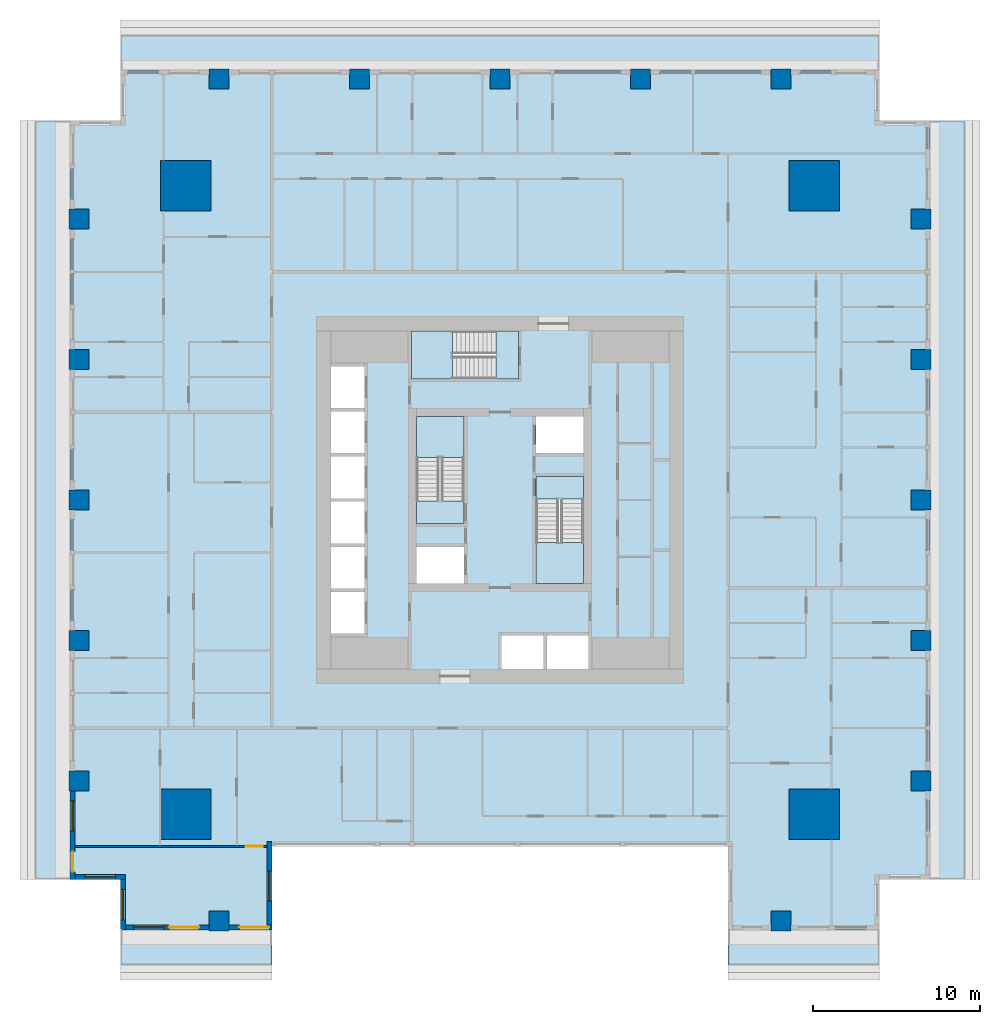
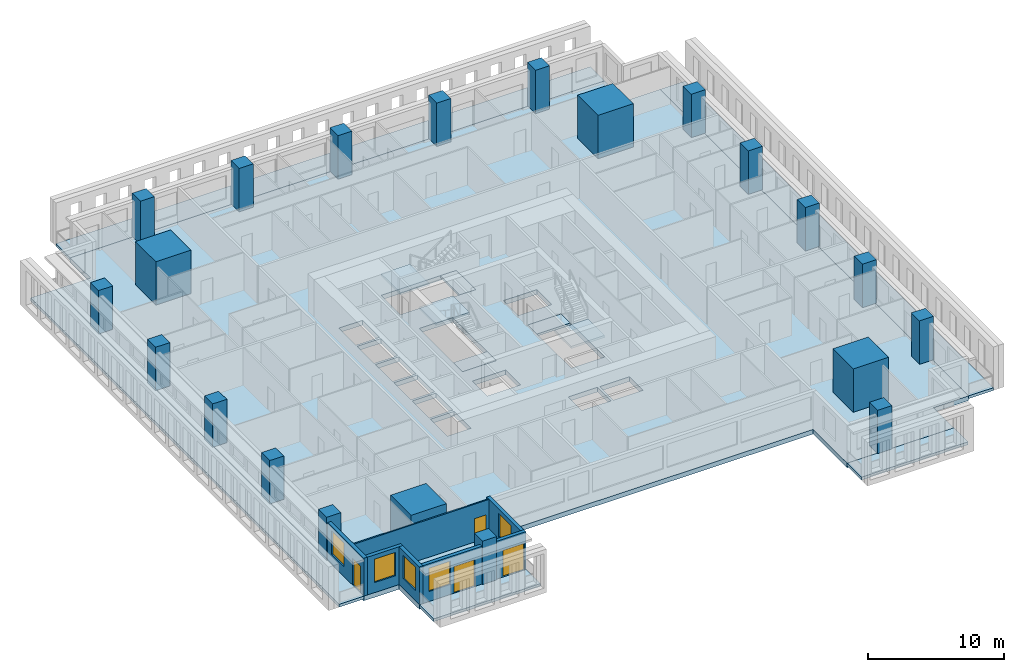
# One storey, part 1 of 14: 21 columns, 12 slabs, 7 walls, 5 windows, 4 doors, 9 openings, 3 elements without a shape of their own.
"""IFC4 building model written with IfcOpenShell, lengths in metres."""

import ifcopenshell
import ifcopenshell.guid

model = None  # the IFC model being written
_history = None  # IfcOwnerHistory: only IFC2X3 demands one
_inside = {}  # id of a spatial element -> (the spatial element, [elements in it])
_under = {}  # id of a project, library or spatial element -> (it, [spatial elements below it])
_declared = {}  # id of a project -> (the project, [libraries it declares])
_typed = {}  # id of a type object -> (the type object, [elements of that type])
_made_of = {}  # id of a material, layer set ... -> (it, [elements and type objects made of it])


def new_model(schema):
    """Start an empty IFC model of exactly this schema.

    Asked for "IFC4X3", IfcOpenShell would pick the latest addendum, in which some entities
    have other attributes; the version numbers below select the first issue.
    IFC2X3 requires an IfcOwnerHistory on every rooted entity: one is made here for all.
    """
    global model, _history
    if schema == "IFC4X3":
        model = ifcopenshell.file(schema_version=(4, 3, 0, 0))
    else:
        model = ifcopenshell.file(schema=schema)
    _inside.clear()
    _under.clear()
    _declared.clear()
    _typed.clear()
    _made_of.clear()
    _history = None
    if model.schema == "IFC2X3":
        org = make("IfcOrganization", Name="unknown")
        user = make(
            "IfcPersonAndOrganization",
            ThePerson=make("IfcPerson", FamilyName="unknown"),
            TheOrganization=org,
        )
        app = make(
            "IfcApplication",
            ApplicationDeveloper=org,
            Version="unknown",
            ApplicationFullName="unknown",
            ApplicationIdentifier="unknown",
        )
        _history = make(
            "IfcOwnerHistory",
            OwningUser=user,
            OwningApplication=app,
            ChangeAction="ADDED",
            CreationDate=0,
        )
    return model


def make(cls, **values):
    """One entity of the class cls with the attributes given. An attribute that is None is left unset."""
    return model.create_entity(
        cls, **{name: value for name, value in values.items() if value is not None}
    )


def rooted(cls, **values):
    """An entity with a GlobalId (a new one), such as an element, a storey or a relation."""
    return make(cls, GlobalId=ifcopenshell.guid.new(), OwnerHistory=_history, **values)


def si_unit(unit_type, name, prefix=None):
    """IfcSIUnit, for example si_unit("LENGTHUNIT", "METRE", prefix="MILLI")."""
    return make("IfcSIUnit", UnitType=unit_type, Prefix=prefix, Name=name)


def assignment(units):
    """IfcUnitAssignment: the units of a project."""
    return None if units is None else make("IfcUnitAssignment", Units=units)


def point(xyz):
    """IfcCartesianPoint."""
    return None if xyz is None else make("IfcCartesianPoint", Coordinates=xyz)


def direction(xyz):
    """IfcDirection."""
    return None if xyz is None else make("IfcDirection", DirectionRatios=xyz)


def frame(location, z_axis=None, x_axis=None):
    """IfcAxis2Placement3D, a coordinate frame: its origin and axes. An axis left out is left unset."""
    return make(
        "IfcAxis2Placement3D",
        Location=point(location),
        Axis=direction(z_axis),
        RefDirection=direction(x_axis),
    )


def frame_2d(location, x_axis=None):
    """IfcAxis2Placement2D, a coordinate frame in the plane: its origin and x axis."""
    return make(
        "IfcAxis2Placement2D", Location=point(location), RefDirection=direction(x_axis)
    )


def origin():
    """The frame at (0, 0, 0) with its axes left unset."""
    return frame((0.0, 0.0, 0.0))


def origin_2d():
    """The frame at (0, 0) in the plane with its x axis left unset."""
    return frame_2d((0.0, 0.0))


def place(relative_to, where):
    """IfcLocalPlacement: puts the frame where relative to a parent placement (None: the world)."""
    return make(
        "IfcLocalPlacement", PlacementRelTo=relative_to, RelativePlacement=where
    )


def context(
    kind, dimensions, precision=None, world=None, true_north=None, identifier=None
):
    """IfcGeometricRepresentationContext, for example the 3D "Model" context."""
    return make(
        "IfcGeometricRepresentationContext",
        ContextIdentifier=identifier,
        ContextType=kind,
        CoordinateSpaceDimension=dimensions,
        Precision=precision,
        WorldCoordinateSystem=world,
        TrueNorth=true_north,
    )


def subcontext(parent, identifier, kind, view, scale=None):
    """IfcGeometricRepresentationSubContext, for example "Body" below "Model"."""
    return make(
        "IfcGeometricRepresentationSubContext",
        ContextIdentifier=identifier,
        ContextType=kind,
        ParentContext=parent,
        TargetScale=scale,
        TargetView=view,
    )


def project(units=None, contexts=None):
    """IfcProject with its units and contexts."""
    return rooted(
        "IfcProject",
        Name="project",
        RepresentationContexts=contexts,
        UnitsInContext=assignment(units),
    )


def spatial(cls, under=None, at=None, **own):
    """A site, building, storey or space (cls), placed at a placement, below another one or the project."""
    s = rooted(cls, ObjectPlacement=at, **own)
    if under is not None:
        _under.setdefault(under.id(), (under, []))[1].append(s)
    return s


def polyline(points):
    """IfcPolyline through the points."""
    return make("IfcPolyline", Points=[point(p) for p in points])


def profile(cls, at=None, kind="AREA", **sizes):
    """A parametric profile (cls). Its sizes go by their IFC names, for example OverallWidth=200.0."""
    return make(cls, ProfileType=kind, Position=at, **sizes)


def rectangle(**sizes):
    """IfcRectangleProfileDef."""
    return profile("IfcRectangleProfileDef", **sizes)


def outline(outer, holes=None, kind="AREA"):
    """IfcArbitraryClosedProfileDef: a profile drawn as a closed curve; with holes, ...WithVoids."""
    if holes is None:
        return make("IfcArbitraryClosedProfileDef", ProfileType=kind, OuterCurve=outer)
    return make(
        "IfcArbitraryProfileDefWithVoids",
        ProfileType=kind,
        OuterCurve=outer,
        InnerCurves=holes,
    )


def extrude(swept, where, along, depth):
    """IfcExtrudedAreaSolid: the profile swept, set in the frame where, extruded along a direction by depth."""
    return make(
        "IfcExtrudedAreaSolid",
        SweptArea=swept,
        Position=where,
        ExtrudedDirection=direction(along),
        Depth=depth,
    )


def shape(context_of_items, identifier, shape_type, items):
    """IfcShapeRepresentation: the items that make up one representation, for example the "Body"."""
    return make(
        "IfcShapeRepresentation",
        ContextOfItems=context_of_items,
        RepresentationIdentifier=identifier,
        RepresentationType=shape_type,
        Items=items,
    )


def material(Name=None, Category=None):
    """IfcMaterial."""
    return make("IfcMaterial", Name=Name, Category=Category)


def layer(
    of_material, thickness, ventilated=None, Name=None, Category=None, Priority=None
):
    """IfcMaterialLayer: one layer of a wall or slab, of a material (None: an air gap)."""
    return make(
        "IfcMaterialLayer",
        Material=of_material,
        LayerThickness=thickness,
        IsVentilated=ventilated,
        Name=Name,
        Category=Category,
        Priority=Priority,
    )


def layer_set(layers, Name=None):
    """IfcMaterialLayerSet."""
    return make("IfcMaterialLayerSet", MaterialLayers=layers, LayerSetName=Name)


def material_profile(
    of_material, cross_section, Name=None, Category=None, Priority=None
):
    """IfcMaterialProfile: a cross section and its material."""
    return make(
        "IfcMaterialProfile",
        Name=Name,
        Material=of_material,
        Profile=cross_section,
        Priority=Priority,
        Category=Category,
    )


def profile_set(profiles, Name=None, composite=None):
    """IfcMaterialProfileSet."""
    return make(
        "IfcMaterialProfileSet",
        Name=Name,
        MaterialProfiles=profiles,
        CompositeProfile=composite,
    )


def made_of(thing, what):
    """Note that an element or type object is made of a material, layer set ...; save() writes the relation."""
    if what is not None:
        _made_of.setdefault(what.id(), (what, []))[1].append(thing)
    return thing


def type_object(cls, material=None, **own):
    """A type object (cls), such as IfcWallType, which elements share."""
    return made_of(rooted(cls, **own), material)


def element(
    cls,
    number,
    at=None,
    inside=None,
    cuts=None,
    type_object=None,
    material=None,
    context=None,
    identifier="Body",
    shape_type=None,
    held_by="IfcProductDefinitionShape",
    body=None,
    shapes=None,
    **own,
):
    """One element of the class cls, such as IfcWall. Its Tag is "e" and its number.

    at: its placement. inside: the storey or other place that contains it. cuts: it is an
    opening in that element (IfcRelVoidsElement). A single representation is given by context,
    identifier, shape_type and body (its items); several are given by shapes. held_by: the class
    of the entity that holds the representations. save() writes the other relations.
    """
    e = rooted(cls, Tag="e%d" % number, ObjectPlacement=at, **own)
    if body is not None:
        shapes = [shape(context, identifier, shape_type, body)]
    if shapes is not None:
        e.Representation = make(held_by, Representations=shapes)
    if inside is not None:
        _inside.setdefault(inside.id(), (inside, []))[1].append(e)
    if cuts is not None:
        rooted(
            "IfcRelVoidsElement", RelatingBuildingElement=cuts, RelatedOpeningElement=e
        )
    if type_object is not None:
        _typed.setdefault(type_object.id(), (type_object, []))[1].append(e)
    return made_of(e, material)


def fill(opening, filler):
    """IfcRelFillsElement: the door or window that sits in an opening."""
    return rooted(
        "IfcRelFillsElement",
        RelatingOpeningElement=opening,
        RelatedBuildingElement=filler,
    )


def aggregate(whole, parts):
    """IfcRelAggregates: a whole, such as a stair, and the parts it consists of."""
    return rooted("IfcRelAggregates", RelatingObject=whole, RelatedObjects=parts)


def save(model, path):
    """Write the relations noted so far, then the file.

    IfcRelAggregates (storeys below a building ...), IfcRelContainedInSpatialStructure (elements
    in a storey), IfcRelDefinesByType, IfcRelAssociatesMaterial and IfcRelDeclares: one each for
    every whole, place, type object, material and project.
    """
    for whole, parts in _under.values():
        aggregate(whole, parts)
    for where, things in _inside.values():
        rooted(
            "IfcRelContainedInSpatialStructure",
            RelatedElements=things,
            RelatingStructure=where,
        )
    for kind, things in _typed.values():
        rooted("IfcRelDefinesByType", RelatedObjects=things, RelatingType=kind)
    for what, things in _made_of.values():
        rooted("IfcRelAssociatesMaterial", RelatedObjects=things, RelatingMaterial=what)
    for by, libraries in _declared.values():
        rooted("IfcRelDeclares", RelatingContext=by, RelatedDefinitions=libraries)
    model.write(path)


model = new_model("IFC4")

# Units and contexts
model_context = context("Model", 3, precision=1e-05, world=origin(), true_north=direction((0.0, 1.0)))
body_context = subcontext(model_context, "Body", "Model", "MODEL_VIEW")
ifc_project = project(units=[si_unit("LENGTHUNIT", "METRE"), si_unit("AREAUNIT", "SQUARE_METRE"), si_unit("VOLUMEUNIT", "CUBIC_METRE"), si_unit("PLANEANGLEUNIT", "RADIAN"), si_unit("MASSUNIT", "GRAM", prefix="KILO")], contexts=[model_context])

# Site, building, storey
site_placement = place(None, origin())
site = spatial("IfcSite", under=ifc_project, at=site_placement, CompositionType="ELEMENT")
building_placement = place(site_placement, origin())
building = spatial("IfcBuilding", under=site, at=building_placement, Name="Khepri Terraces", CompositionType="ELEMENT")
storey_placement = place(building_placement, frame((0.0, 0.0, 69.89990234375)))
storey = spatial("IfcBuildingStorey", under=building, at=storey_placement, Name="L16", CompositionType="ELEMENT", Elevation=69.89990234375)

# Columns
ifc_material_1 = material(Name="Concrete C80/95", Category="concrete")
ifc_material_profile_1 = material_profile(ifc_material_1, rectangle(XDim=3.0, YDim=3.0, at=origin_2d()), Name="Concrete C80/95", Category="concrete")
ifc_profile_set_1 = profile_set([ifc_material_profile_1], Name="Concrete C80/95")
column_type_1 = type_object("IfcColumnType", Name="Mega column RC 3000x3000 C80/95", PredefinedType="COLUMN", material=ifc_profile_set_1)
for number, where, z_axis, x_axis, name in (
    (1, (18.800048828125, 18.800048828125, 0.0), (0.0, 0.0, 1.0), (1.0, 0.0, 0.0), "Mega column MEN L16"),
    (2, (18.800048828125, -18.800048828125, 0.0), (0.0, 0.0, 1.0), (1.0, 0.0, 0.0), "Mega column MES L16"),
    (3, (-18.800048828125, 18.800048828125, 0.0), (0.0, 0.0, 1.0), (1.0, 0.0, 0.0), "Mega column MWN L16"),
    (4, (-18.800048828125, -18.800048828125, 0.0), (0.0, 0.0, 1.0), (1.0, 0.0, 0.0), "Mega column MWS L16"),
):
    element("IfcColumn", number, at=place(storey_placement, frame(where, z_axis=z_axis, x_axis=x_axis)), inside=storey, type_object=column_type_1, Name=name, PredefinedType="COLUMN", context=body_context, shape_type="SweptSolid", body=[
        extrude(rectangle(XDim=3.0, YDim=3.0, at=origin_2d()), origin(), (0.0, 0.0, 1.0), 3.900146484375),
    ])
ifc_material_profile_2 = material_profile(ifc_material_1, rectangle(XDim=1.199951171875, YDim=1.199951171875, at=origin_2d()), Name="Concrete C80/95", Category="concrete")
ifc_profile_set_2 = profile_set([ifc_material_profile_2], Name="Concrete C80/95")
column_type_2 = type_object("IfcColumnType", Name="Tower column RC 1200x1200 C80/95", PredefinedType="COLUMN", material=ifc_profile_set_2)
for number, where, z_axis, x_axis, name in (
    (5, (25.199951171875, 0.0, 0.0), (0.0, 0.0, 1.0), (1.0, 0.0, 0.0), "Perimeter column PE+000a L16"),
    (6, (25.199951171875, 8.39990234375, 0.0), (0.0, 0.0, 1.0), (1.0, 0.0, 0.0), "Perimeter column PE+084a L16"),
    (7, (25.199951171875, 16.800048828125, 0.0), (0.0, 0.0, 1.0), (1.0, 0.0, 0.0), "Perimeter column PE+168a L16"),
    (8, (25.199951171875, -8.39990234375, 0.0), (0.0, 0.0, 1.0), (1.0, 0.0, 0.0), "Perimeter column PE-084a L16"),
    (9, (25.199951171875, -16.800048828125, 0.0), (0.0, 0.0, 1.0), (1.0, 0.0, 0.0), "Perimeter column PE-168a L16"),
    (10, (0.0, 25.199951171875, 0.0), (0.0, 0.0, 1.0), (1.0, 0.0, 0.0), "Perimeter column PN+000a L16"),
    (11, (-8.39990234375, 25.199951171875, 0.0), (0.0, 0.0, 1.0), (1.0, 0.0, 0.0), "Perimeter column PN+084a L16"),
    (12, (-16.800048828125, 25.199951171875, 0.0), (0.0, 0.0, 1.0), (1.0, 0.0, 0.0), "Perimeter column PN+168a L16"),
    (13, (8.39990234375, 25.199951171875, 0.0), (0.0, 0.0, 1.0), (1.0, 0.0, 0.0), "Perimeter column PN-084a L16"),
    (14, (16.800048828125, 25.199951171875, 0.0), (0.0, 0.0, 1.0), (1.0, 0.0, 0.0), "Perimeter column PN-168a L16"),
    (15, (16.800048828125, -25.199951171875, 0.0), (0.0, 0.0, 1.0), (1.0, 0.0, 0.0), "Perimeter column PS+168a L16"),
    (16, (-16.800048828125, -25.199951171875, 0.0), (0.0, 0.0, 1.0), (1.0, 0.0, 0.0), "Perimeter column PS-168a L16"),
    (17, (-25.199951171875, 0.0, 0.0), (0.0, 0.0, 1.0), (1.0, 0.0, 0.0), "Perimeter column PW+000a L16"),
    (18, (-25.199951171875, -8.39990234375, 0.0), (0.0, 0.0, 1.0), (1.0, 0.0, 0.0), "Perimeter column PW+084a L16"),
    (19, (-25.199951171875, -16.800048828125, 0.0), (0.0, 0.0, 1.0), (1.0, 0.0, 0.0), "Perimeter column PW+168a L16"),
    (20, (-25.199951171875, 8.39990234375, 0.0), (0.0, 0.0, 1.0), (1.0, 0.0, 0.0), "Perimeter column PW-084a L16"),
    (21, (-25.199951171875, 16.800048828125, 0.0), (0.0, 0.0, 1.0), (1.0, 0.0, 0.0), "Perimeter column PW-168a L16"),
):
    element("IfcColumn", number, at=place(storey_placement, frame(where, z_axis=z_axis, x_axis=x_axis)), inside=storey, type_object=column_type_2, Name=name, PredefinedType="COLUMN", context=body_context, shape_type="SweptSolid", body=[
        extrude(rectangle(XDim=1.199951171875, YDim=1.199951171875, at=origin_2d()), origin(), (0.0, 0.0, 1.0), 3.900146484375),
    ])

# Slabs
ifc_material_2 = material(Name="Concrete C40/50", Category="concrete")
ifc_layer_1 = layer(ifc_material_2, 0.419921875, Name="Concrete C40/50", Category="concrete")
ifc_layer_set_1 = layer_set([ifc_layer_1], Name="Concrete C40/50")
slab_type_1 = type_object("IfcSlabType", Name="Flat plate 420", PredefinedType="FLOOR", material=ifc_layer_set_1)
slab_1_placement = place(storey_placement, frame((0.0, 0.0, -0.419921875)))
element("IfcSlab", 22, at=slab_1_placement, inside=storey, type_object=slab_type_1, Name="Floor slab F01 L16", PredefinedType="FLOOR", context=body_context, shape_type="SweptSolid", body=[
    extrude(outline(polyline([(22.719970703125, 22.719970703125), (25.719970703125, 22.719970703125), (25.719970703125, -22.719970703125), (22.719970703125, -22.719970703125), (22.719970703125, -25.719970703125), (13.64990234375, -25.719970703125), (13.64990234375, -20.719970703125), (-13.64990234375, -20.719970703125), (-13.64990234375, -25.719970703125), (-22.719970703125, -25.719970703125), (-22.719970703125, -22.719970703125), (-25.719970703125, -22.719970703125), (-25.719970703125, 22.719970703125), (-22.719970703125, 22.719970703125), (-22.719970703125, 25.719970703125), (22.719970703125, 25.719970703125), (22.719970703125, 22.719970703125)]), holes=[polyline([(5.0, 5.0), (2.14990234375, 5.0), (2.14990234375, 2.800048828125), (5.0, 2.800048828125), (5.0, 5.0)]), polyline([(-2.14990234375, -5.0), (-2.14990234375, -2.800048828125), (-5.0, -2.800048828125), (-5.0, -5.0), (-2.14990234375, -5.0)]), polyline([(-10.10009765625, -8.0), (-8.10009765625, -8.0), (-8.10009765625, -5.5), (-10.10009765625, -5.5), (-10.10009765625, -8.0)]), polyline([(-10.10009765625, -2.800048828125), (-10.10009765625, -5.300048828125), (-8.10009765625, -5.300048828125), (-8.10009765625, -2.800048828125), (-10.10009765625, -2.800048828125)]), polyline([(-8.10009765625, -0.10009765625), (-10.10009765625, -0.10009765625), (-10.10009765625, -2.60009765625), (-8.10009765625, -2.60009765625), (-8.10009765625, -0.10009765625)]), polyline([(-8.10009765625, 0.10009765625), (-8.10009765625, 2.60009765625), (-10.10009765625, 2.60009765625), (-10.10009765625, 0.10009765625), (-8.10009765625, 0.10009765625)]), polyline([(-10.10009765625, 2.800048828125), (-8.10009765625, 2.800048828125), (-8.10009765625, 5.300048828125), (-10.10009765625, 5.300048828125), (-10.10009765625, 2.800048828125)]), polyline([(-10.10009765625, 8.0), (-10.10009765625, 5.5), (-8.10009765625, 5.5), (-8.10009765625, 8.0), (-10.10009765625, 8.0)]), polyline([(2.60009765625, -8.10009765625), (0.10009765625, -8.10009765625), (0.10009765625, -10.10009765625), (2.60009765625, -10.10009765625), (2.60009765625, -8.10009765625)]), polyline([(5.300048828125, -10.10009765625), (5.300048828125, -8.10009765625), (2.800048828125, -8.10009765625), (2.800048828125, -10.10009765625), (5.300048828125, -10.10009765625)]), polyline([(-5.0, -1.39990234375), (-2.14990234375, -1.39990234375), (-2.14990234375, 5.0), (-5.0, 5.0), (-5.0, -1.39990234375)]), polyline([(5.0, -5.0), (5.0, 1.39990234375), (2.14990234375, 1.39990234375), (2.14990234375, -5.0), (5.0, -5.0)]), polyline([(-5.300048828125, 10.10009765625), (-5.300048828125, 7.25), (1.10009765625, 7.25), (1.10009765625, 10.10009765625), (-5.300048828125, 10.10009765625)])]), origin(), (0.0, 0.0, 1.0), 0.419921875),
])
ifc_material_3 = material(Name="Precast concrete C50/60 warm stone", Category="masonry")
ifc_layer_2 = layer(ifc_material_3, 0.25, Name="Precast concrete C50/60 warm stone", Category="masonry")
ifc_layer_set_2 = layer_set([ifc_layer_2], Name="Precast concrete C50/60 warm stone")
slab_type_2 = type_object("IfcSlabType", Name="SLB-BALCONY-250", PredefinedType="FLOOR", material=ifc_layer_set_2)
slab_2_placement = place(storey_placement, frame((0.0, 0.0, -0.25)))
element("IfcSlab", 23, at=slab_2_placement, inside=storey, type_object=slab_type_2, Name="Balcony slab L16 S", PredefinedType="FLOOR", context=body_context, shape_type="SweptSolid", body=[
    extrude(outline(polyline([(-17.39990234375, -25.719970703125), (-22.719970703125, -25.719970703125), (-22.719970703125, -27.820068359375), (-13.64990234375, -27.820068359375), (-13.64990234375, -25.719970703125), (-16.199951171875, -25.719970703125), (-16.199951171875, -25.800048828125), (-17.39990234375, -25.800048828125), (-17.39990234375, -25.719970703125)])), origin(), (0.0, 0.0, 1.0), 0.25),
])
slab_3_placement = place(storey_placement, frame((0.0, 0.0, -0.25)))
element("IfcSlab", 24, at=slab_3_placement, inside=storey, type_object=slab_type_2, Name="Balcony slab L16 S", PredefinedType="FLOOR", context=body_context, shape_type="SweptSolid", body=[
    extrude(outline(polyline([(16.199951171875, -25.719970703125), (13.64990234375, -25.719970703125), (13.64990234375, -27.820068359375), (22.719970703125, -27.820068359375), (22.719970703125, -25.719970703125), (17.39990234375, -25.719970703125), (17.39990234375, -25.800048828125), (16.199951171875, -25.800048828125), (16.199951171875, -25.719970703125)])), origin(), (0.0, 0.0, 1.0), 0.25),
])
slab_4_placement = place(storey_placement, frame((0.0, 0.0, -0.25)))
element("IfcSlab", 25, at=slab_4_placement, inside=storey, type_object=slab_type_2, Name="Balcony slab L16 E", PredefinedType="FLOOR", context=body_context, shape_type="SweptSolid", body=[
    extrude(outline(polyline([(25.719970703125, -17.39990234375), (25.719970703125, -22.719970703125), (27.820068359375, -22.719970703125), (27.820068359375, 22.719970703125), (25.719970703125, 22.719970703125), (25.719970703125, 17.39990234375), (25.800048828125, 17.39990234375), (25.800048828125, 16.199951171875), (25.719970703125, 16.199951171875), (25.719970703125, 9.0), (25.800048828125, 9.0), (25.800048828125, 7.800048828125), (25.719970703125, 7.800048828125), (25.719970703125, 0.60009765625), (25.800048828125, 0.60009765625), (25.800048828125, -0.60009765625), (25.719970703125, -0.60009765625), (25.719970703125, -7.800048828125), (25.800048828125, -7.800048828125), (25.800048828125, -9.0), (25.719970703125, -9.0), (25.719970703125, -16.199951171875), (25.800048828125, -16.199951171875), (25.800048828125, -17.39990234375), (25.719970703125, -17.39990234375)])), origin(), (0.0, 0.0, 1.0), 0.25),
])
slab_5_placement = place(storey_placement, frame((0.0, 0.0, -0.25)))
element("IfcSlab", 26, at=slab_5_placement, inside=storey, type_object=slab_type_2, Name="Balcony slab L16 N", PredefinedType="FLOOR", context=body_context, shape_type="SweptSolid", body=[
    extrude(outline(polyline([(17.39990234375, 25.719970703125), (22.719970703125, 25.719970703125), (22.719970703125, 27.820068359375), (-22.719970703125, 27.820068359375), (-22.719970703125, 25.719970703125), (-17.39990234375, 25.719970703125), (-17.39990234375, 25.800048828125), (-16.199951171875, 25.800048828125), (-16.199951171875, 25.719970703125), (-9.0, 25.719970703125), (-9.0, 25.800048828125), (-7.800048828125, 25.800048828125), (-7.800048828125, 25.719970703125), (-0.60009765625, 25.719970703125), (-0.60009765625, 25.800048828125), (0.60009765625, 25.800048828125), (0.60009765625, 25.719970703125), (7.800048828125, 25.719970703125), (7.800048828125, 25.800048828125), (9.0, 25.800048828125), (9.0, 25.719970703125), (16.199951171875, 25.719970703125), (16.199951171875, 25.800048828125), (17.39990234375, 25.800048828125), (17.39990234375, 25.719970703125)])), origin(), (0.0, 0.0, 1.0), 0.25),
])
slab_6_placement = place(storey_placement, frame((0.0, 0.0, -0.25)))
element("IfcSlab", 27, at=slab_6_placement, inside=storey, type_object=slab_type_2, Name="Balcony slab L16 W", PredefinedType="FLOOR", context=body_context, shape_type="SweptSolid", body=[
    extrude(outline(polyline([(-25.719970703125, 17.39990234375), (-25.719970703125, 22.719970703125), (-27.820068359375, 22.719970703125), (-27.820068359375, -22.719970703125), (-25.719970703125, -22.719970703125), (-25.719970703125, -17.39990234375), (-25.800048828125, -17.39990234375), (-25.800048828125, -16.199951171875), (-25.719970703125, -16.199951171875), (-25.719970703125, -9.0), (-25.800048828125, -9.0), (-25.800048828125, -7.800048828125), (-25.719970703125, -7.800048828125), (-25.719970703125, -0.60009765625), (-25.800048828125, -0.60009765625), (-25.800048828125, 0.60009765625), (-25.719970703125, 0.60009765625), (-25.719970703125, 7.800048828125), (-25.800048828125, 7.800048828125), (-25.800048828125, 9.0), (-25.719970703125, 9.0), (-25.719970703125, 16.199951171875), (-25.800048828125, 16.199951171875), (-25.800048828125, 17.39990234375), (-25.719970703125, 17.39990234375)])), origin(), (0.0, 0.0, 1.0), 0.25),
])

# Stair, slabs
stair_type = type_object("IfcStairType", Name="STAIR-RC-22R", PredefinedType="HALF_TURN_STAIR", material=ifc_material_2)
stair_1_placement = place(storey_placement, origin())
stair_1 = element("IfcStair", 28, at=stair_1_placement, inside=storey, type_object=stair_type, Name="L16 Exit Stair ST-1", PredefinedType="HALF_TURN_STAIR")
ifc_layer_3 = layer(ifc_material_2, 0.199951171875, Name="Concrete C40/50", Category="concrete")
ifc_layer_set_3 = layer_set([ifc_layer_3], Name="Concrete C40/50")
slab_type_3 = type_object("IfcSlabType", Name="SLB-CORE-LANDING", PredefinedType="LANDING", material=ifc_layer_set_3)
slab_7_placement = place(storey_placement, frame((0.0, 0.0, -0.199951171875)))
slab_7 = element("IfcSlab", 29, at=slab_7_placement, type_object=slab_type_3, Name="ST-1 landing 1", PredefinedType="LANDING", context=body_context, shape_type="SweptSolid", body=[
    extrude(outline(polyline([(-2.14990234375, -1.39990234375), (-2.14990234375, -0.050048828125), (-5.0, -0.050048828125), (-5.0, -1.39990234375), (-2.14990234375, -1.39990234375)])), origin(), (0.0, 0.0, 1.0), 0.199951171875),
])
slab_8_placement = place(storey_placement, frame((0.0, 0.0, 1.75)))
slab_8 = element("IfcSlab", 30, at=slab_8_placement, type_object=slab_type_3, Name="ST-1 landing 2", PredefinedType="LANDING", context=body_context, shape_type="SweptSolid", body=[
    extrude(outline(polyline([(-2.14990234375, 2.550048828125), (-2.14990234375, 5.0), (-5.0, 5.0), (-5.0, 2.550048828125), (-2.14990234375, 2.550048828125)])), origin(), (0.0, 0.0, 1.0), 0.2001953125),
])
aggregate(stair_1, [slab_7, slab_8])

stair_2_placement = place(storey_placement, origin())
stair_2 = element("IfcStair", 31, at=stair_2_placement, inside=storey, type_object=stair_type, Name="L16 Exit Stair ST-2", PredefinedType="HALF_TURN_STAIR")
slab_9_placement = place(storey_placement, frame((0.0, 0.0, -0.199951171875)))
slab_9 = element("IfcSlab", 32, at=slab_9_placement, type_object=slab_type_3, Name="ST-2 landing 1", PredefinedType="LANDING", context=body_context, shape_type="SweptSolid", body=[
    extrude(outline(polyline([(2.14990234375, 1.39990234375), (2.14990234375, 0.050048828125), (5.0, 0.050048828125), (5.0, 1.39990234375), (2.14990234375, 1.39990234375)])), origin(), (0.0, 0.0, 1.0), 0.199951171875),
])
slab_10_placement = place(storey_placement, frame((0.0, 0.0, 1.75)))
slab_10 = element("IfcSlab", 33, at=slab_10_placement, type_object=slab_type_3, Name="ST-2 landing 2", PredefinedType="LANDING", context=body_context, shape_type="SweptSolid", body=[
    extrude(outline(polyline([(2.14990234375, -2.550048828125), (2.14990234375, -5.0), (5.0, -5.0), (5.0, -2.550048828125), (2.14990234375, -2.550048828125)])), origin(), (0.0, 0.0, 1.0), 0.2001953125),
])
aggregate(stair_2, [slab_9, slab_10])

stair_3_placement = place(storey_placement, origin())
stair_3 = element("IfcStair", 34, at=stair_3_placement, inside=storey, type_object=stair_type, Name="L16 Exit Stair ST-3", PredefinedType="HALF_TURN_STAIR")
slab_11_placement = place(storey_placement, frame((0.0, 0.0, -0.199951171875)))
slab_11 = element("IfcSlab", 35, at=slab_11_placement, type_object=slab_type_3, Name="ST-3 landing 1", PredefinedType="LANDING", context=body_context, shape_type="SweptSolid", body=[
    extrude(outline(polyline([(1.10009765625, 10.10009765625), (-0.25, 10.10009765625), (-0.25, 7.25), (1.10009765625, 7.25), (1.10009765625, 10.10009765625)])), origin(), (0.0, 0.0, 1.0), 0.199951171875),
])
slab_12_placement = place(storey_placement, frame((0.0, 0.0, 1.75)))
slab_12 = element("IfcSlab", 36, at=slab_12_placement, type_object=slab_type_3, Name="ST-3 landing 2", PredefinedType="LANDING", context=body_context, shape_type="SweptSolid", body=[
    extrude(outline(polyline([(-2.85009765625, 10.10009765625), (-5.300048828125, 10.10009765625), (-5.300048828125, 7.25), (-2.85009765625, 7.25), (-2.85009765625, 10.10009765625)])), origin(), (0.0, 0.0, 1.0), 0.2001953125),
])
aggregate(stair_3, [slab_11, slab_12])

# Wall, openings, door, window
ifc_layer_4 = layer(ifc_material_3, 0.300048828125, Name="Precast concrete C50/60 warm stone", Category="masonry")
ifc_layer_set_4 = layer_set([ifc_layer_4], Name="Precast concrete C50/60 warm stone")
wall_type_1 = type_object("IfcWallType", Name="WL-EXT-PRECAST-300", PredefinedType="STANDARD", material=ifc_layer_set_4)
wall_1_placement = place(storey_placement, frame((-25.570068359375, -17.39990234375, 0.0), z_axis=(0.0, 0.0, 1.0), x_axis=(0.0, -1.0, 0.0)))
wall_1 = element("IfcWall", 37, at=wall_1_placement, inside=storey, type_object=wall_type_1, Name="External wall L16 W", PredefinedType="STANDARD", context=body_context, shape_type="SweptSolid", body=[
    extrude(rectangle(XDim=5.320068359375, YDim=0.300048828125, at=frame_2d((2.66015625, 0.0))), origin(), (0.0, 0.0, 1.0), 3.400146484375),
])
opening_1_placement = place(wall_1_placement, frame((0.60009765625, 0.0, 0.89990234375)))
opening_1 = element("IfcOpeningElement", 38, at=opening_1_placement, cuts=wall_1, Name="Opening W1", PredefinedType="OPENING", context=body_context, shape_type="SweptSolid", body=[
    extrude(rectangle(XDim=1.800048828125, YDim=2.10009765625, at=frame_2d((0.89990234375, 1.050048828125))), frame((0.0, 0.16015625, 0.0), z_axis=(0.0, -1.0, 0.0), x_axis=(1.0, 0.0, 0.0)), (0.0, 0.0, 1.0), 0.320068359375),
])
opening_2_placement = place(wall_1_placement, frame((3.64501953125, 0.0, 0.0)))
opening_2 = element("IfcOpeningElement", 39, at=opening_2_placement, cuts=wall_1, Name="Opening ED-L16-18", PredefinedType="OPENING", context=body_context, shape_type="SweptSolid", body=[
    extrude(rectangle(XDim=1.199951171875, YDim=2.39990234375, at=frame_2d((0.60009765625, 1.199951171875))), frame((0.0, 0.16015625, 0.0), z_axis=(0.0, -1.0, 0.0), x_axis=(1.0, 0.0, 0.0)), (0.0, 0.0, 1.0), 0.320068359375),
])
ifc_material_4 = material(Name="Anodised aluminium bronze glazed door", Category="aluminium")
door_type_1 = type_object("IfcDoorType", Name="DR-BAL-SLIDE-1200x2400", OperationType="NOTDEFINED", PredefinedType="DOOR", material=ifc_material_4)
door_1_placement = place(opening_2_placement, origin())
door_1 = element("IfcDoor", 40, at=door_1_placement, inside=storey, type_object=door_type_1, Name="Balcony door L16 W", OperationType="SLIDING_TO_RIGHT", OverallHeight=2.39990234375, OverallWidth=1.199951171875, PredefinedType="DOOR", context=body_context, shape_type="SweptSolid", body=[
    extrude(rectangle(XDim=1.199951171875, YDim=2.39990234375, at=frame_2d((0.60009765625, 1.199951171875))), frame((0.0, 0.02490234375, 0.0), z_axis=(0.0, -1.0, 0.0), x_axis=(1.0, 0.0, 0.0)), (0.0, 0.0, 1.0), 0.050048828125),
])
fill(opening_2, door_1)
ifc_material_5 = material(Name="Clear glass", Category="glass")
window_type = type_object("IfcWindowType", Name="WIN-RES-1800x2100", PartitioningType="SINGLE_PANEL", PredefinedType="WINDOW", material=ifc_material_5)
window_1_placement = place(opening_1_placement, origin())
window_1 = element("IfcWindow", 41, at=window_1_placement, inside=storey, type_object=window_type, Name="Window L16 W", OverallHeight=2.10009765625, OverallWidth=1.800048828125, PartitioningType="SINGLE_PANEL", PredefinedType="WINDOW", context=body_context, shape_type="SweptSolid", body=[
    extrude(rectangle(XDim=1.800048828125, YDim=2.10009765625, at=frame_2d((0.89990234375, 1.050048828125))), frame((0.0, 0.030029296875, 0.0), z_axis=(0.0, -1.0, 0.0), x_axis=(1.0, 0.0, 0.0)), (0.0, 0.0, 1.0), 0.06005859375),
])
fill(opening_1, window_1)

# Wall, opening, window
wall_2_placement = place(storey_placement, frame((-25.419921875, -22.570068359375, 0.0), z_axis=(0.0, 0.0, 1.0), x_axis=(1.0, 0.0, 0.0)))
wall_2 = element("IfcWall", 42, at=wall_2_placement, inside=storey, type_object=wall_type_1, Name="External wall L16 S", PredefinedType="STANDARD", context=body_context, shape_type="SweptSolid", body=[
    extrude(rectangle(XDim=3.0, YDim=0.300048828125, at=frame_2d((1.5, 0.0))), origin(), (0.0, 0.0, 1.0), 3.400146484375),
])
opening_3_placement = place(wall_2_placement, frame((0.60009765625, 0.0, 0.89990234375)))
opening_3 = element("IfcOpeningElement", 43, at=opening_3_placement, cuts=wall_2, Name="Opening W1", PredefinedType="OPENING", context=body_context, shape_type="SweptSolid", body=[
    extrude(rectangle(XDim=1.800048828125, YDim=2.10009765625, at=frame_2d((0.89990234375, 1.050048828125))), frame((0.0, 0.16015625, 0.0), z_axis=(0.0, -1.0, 0.0), x_axis=(1.0, 0.0, 0.0)), (0.0, 0.0, 1.0), 0.320068359375),
])
window_2_placement = place(opening_3_placement, origin())
window_2 = element("IfcWindow", 44, at=window_2_placement, inside=storey, type_object=window_type, Name="Window L16 S", OverallHeight=2.10009765625, OverallWidth=1.800048828125, PartitioningType="SINGLE_PANEL", PredefinedType="WINDOW", context=body_context, shape_type="SweptSolid", body=[
    extrude(rectangle(XDim=1.800048828125, YDim=2.10009765625, at=frame_2d((0.89990234375, 1.050048828125))), frame((0.0, 0.030029296875, 0.0), z_axis=(0.0, -1.0, 0.0), x_axis=(1.0, 0.0, 0.0)), (0.0, 0.0, 1.0), 0.06005859375),
])
fill(opening_3, window_2)

wall_3_placement = place(storey_placement, frame((-22.570068359375, -22.719970703125, 0.0), z_axis=(0.0, 0.0, 1.0), x_axis=(0.0, -1.0, 0.0)))
wall_3 = element("IfcWall", 45, at=wall_3_placement, inside=storey, type_object=wall_type_1, Name="External wall L16 W", PredefinedType="STANDARD", context=body_context, shape_type="SweptSolid", body=[
    extrude(rectangle(XDim=3.0, YDim=0.300048828125, at=frame_2d((1.5, 0.0))), origin(), (0.0, 0.0, 1.0), 3.400146484375),
])
opening_4_placement = place(wall_3_placement, frame((0.60009765625, 0.0, 0.89990234375)))
opening_4 = element("IfcOpeningElement", 46, at=opening_4_placement, cuts=wall_3, Name="Opening W1", PredefinedType="OPENING", context=body_context, shape_type="SweptSolid", body=[
    extrude(rectangle(XDim=1.800048828125, YDim=2.10009765625, at=frame_2d((0.89990234375, 1.050048828125))), frame((0.0, 0.16015625, 0.0), z_axis=(0.0, -1.0, 0.0), x_axis=(1.0, 0.0, 0.0)), (0.0, 0.0, 1.0), 0.320068359375),
])
window_3_placement = place(opening_4_placement, origin())
window_3 = element("IfcWindow", 47, at=window_3_placement, inside=storey, type_object=window_type, Name="Window L16 W", OverallHeight=2.10009765625, OverallWidth=1.800048828125, PartitioningType="SINGLE_PANEL", PredefinedType="WINDOW", context=body_context, shape_type="SweptSolid", body=[
    extrude(rectangle(XDim=1.800048828125, YDim=2.10009765625, at=frame_2d((0.89990234375, 1.050048828125))), frame((0.0, 0.030029296875, 0.0), z_axis=(0.0, -1.0, 0.0), x_axis=(1.0, 0.0, 0.0)), (0.0, 0.0, 1.0), 0.06005859375),
])
fill(opening_4, window_3)

# Wall, openings, door, window
wall_4_placement = place(storey_placement, frame((-22.419921875, -25.570068359375, 0.0), z_axis=(0.0, 0.0, 1.0), x_axis=(1.0, 0.0, 0.0)))
wall_4 = element("IfcWall", 48, at=wall_4_placement, inside=storey, type_object=wall_type_1, Name="External wall L16 S", PredefinedType="STANDARD", context=body_context, shape_type="SweptSolid", body=[
    extrude(rectangle(XDim=5.02001953125, YDim=0.300048828125, at=frame_2d((2.510009765625, 0.0))), origin(), (0.0, 0.0, 1.0), 3.400146484375),
])
opening_5_placement = place(wall_4_placement, frame((0.52001953125, 0.0, 0.89990234375)))
opening_5 = element("IfcOpeningElement", 49, at=opening_5_placement, cuts=wall_4, Name="Opening W1", PredefinedType="OPENING", context=body_context, shape_type="SweptSolid", body=[
    extrude(rectangle(XDim=1.800048828125, YDim=2.10009765625, at=frame_2d((0.89990234375, 1.050048828125))), frame((0.0, 0.16015625, 0.0), z_axis=(0.0, -1.0, 0.0), x_axis=(1.0, 0.0, 0.0)), (0.0, 0.0, 1.0), 0.320068359375),
])
opening_6_placement = place(wall_4_placement, frame((2.6201171875, 0.0, 0.0)))
opening_6 = element("IfcOpeningElement", 50, at=opening_6_placement, cuts=wall_4, Name="Opening ED-L16-19", PredefinedType="OPENING", context=body_context, shape_type="SweptSolid", body=[
    extrude(rectangle(XDim=1.800048828125, YDim=2.39990234375, at=frame_2d((0.89990234375, 1.199951171875))), frame((0.0, 0.16015625, 0.0), z_axis=(0.0, -1.0, 0.0), x_axis=(1.0, 0.0, 0.0)), (0.0, 0.0, 1.0), 0.320068359375),
])
door_type_2 = type_object("IfcDoorType", Name="DR-BAL-SLIDE-1800x2400", OperationType="NOTDEFINED", PredefinedType="DOOR", material=ifc_material_4)
door_2_placement = place(opening_6_placement, origin())
door_2 = element("IfcDoor", 51, at=door_2_placement, inside=storey, type_object=door_type_2, Name="Balcony door L16 S", OperationType="SLIDING_TO_RIGHT", OverallHeight=2.39990234375, OverallWidth=1.800048828125, PredefinedType="DOOR", context=body_context, shape_type="SweptSolid", body=[
    extrude(rectangle(XDim=1.800048828125, YDim=2.39990234375, at=frame_2d((0.89990234375, 1.199951171875))), frame((0.0, 0.02490234375, 0.0), z_axis=(0.0, -1.0, 0.0), x_axis=(1.0, 0.0, 0.0)), (0.0, 0.0, 1.0), 0.050048828125),
])
fill(opening_6, door_2)
window_4_placement = place(opening_5_placement, origin())
window_4 = element("IfcWindow", 52, at=window_4_placement, inside=storey, type_object=window_type, Name="Window L16 S", OverallHeight=2.10009765625, OverallWidth=1.800048828125, PartitioningType="SINGLE_PANEL", PredefinedType="WINDOW", context=body_context, shape_type="SweptSolid", body=[
    extrude(rectangle(XDim=1.800048828125, YDim=2.10009765625, at=frame_2d((0.89990234375, 1.050048828125))), frame((0.0, 0.030029296875, 0.0), z_axis=(0.0, -1.0, 0.0), x_axis=(1.0, 0.0, 0.0)), (0.0, 0.0, 1.0), 0.06005859375),
])
fill(opening_5, window_4)

# Wall, opening, door
wall_5_placement = place(storey_placement, frame((-16.199951171875, -25.570068359375, 0.0), z_axis=(0.0, 0.0, 1.0), x_axis=(1.0, 0.0, 0.0)))
wall_5 = element("IfcWall", 53, at=wall_5_placement, inside=storey, type_object=wall_type_1, Name="External wall L16 S", PredefinedType="STANDARD", context=body_context, shape_type="SweptSolid", body=[
    extrude(rectangle(XDim=2.550048828125, YDim=0.300048828125, at=frame_2d((1.27490234375, 0.0))), origin(), (0.0, 0.0, 1.0), 3.400146484375),
])
opening_7_placement = place(wall_5_placement, frame((0.60009765625, 0.0, 0.0)))
opening_7 = element("IfcOpeningElement", 54, at=opening_7_placement, cuts=wall_5, Name="Opening ED-L16-20", PredefinedType="OPENING", context=body_context, shape_type="SweptSolid", body=[
    extrude(rectangle(XDim=1.800048828125, YDim=2.39990234375, at=frame_2d((0.89990234375, 1.199951171875))), frame((0.0, 0.16015625, 0.0), z_axis=(0.0, -1.0, 0.0), x_axis=(1.0, 0.0, 0.0)), (0.0, 0.0, 1.0), 0.320068359375),
])
door_3_placement = place(opening_7_placement, origin())
door_3 = element("IfcDoor", 55, at=door_3_placement, inside=storey, type_object=door_type_2, Name="Balcony door L16 S", OperationType="SLIDING_TO_LEFT", OverallHeight=2.39990234375, OverallWidth=1.800048828125, PredefinedType="DOOR", context=body_context, shape_type="SweptSolid", body=[
    extrude(rectangle(XDim=1.800048828125, YDim=2.39990234375, at=frame_2d((0.89990234375, 1.199951171875))), frame((0.0, 0.02490234375, 0.0), z_axis=(0.0, -1.0, 0.0), x_axis=(1.0, 0.0, 0.0)), (0.0, 0.0, 1.0), 0.050048828125),
])
fill(opening_7, door_3)

# Wall, opening, window
wall_6_placement = place(storey_placement, frame((-13.800048828125, -25.419921875, 0.0), z_axis=(0.0, 0.0, 1.0), x_axis=(0.0, 1.0, 0.0)))
wall_6 = element("IfcWall", 56, at=wall_6_placement, inside=storey, type_object=wall_type_1, Name="External wall L16 E", PredefinedType="STANDARD", context=body_context, shape_type="SweptSolid", body=[
    extrude(rectangle(XDim=5.0, YDim=0.300048828125, at=frame_2d((2.5, 0.0))), origin(), (0.0, 0.0, 1.0), 3.400146484375),
])
opening_8_placement = place(wall_6_placement, frame((1.419921875, 0.0, 0.89990234375)))
opening_8 = element("IfcOpeningElement", 57, at=opening_8_placement, cuts=wall_6, Name="Opening W1", PredefinedType="OPENING", context=body_context, shape_type="SweptSolid", body=[
    extrude(rectangle(XDim=1.800048828125, YDim=2.10009765625, at=frame_2d((0.89990234375, 1.050048828125))), frame((0.0, 0.16015625, 0.0), z_axis=(0.0, -1.0, 0.0), x_axis=(1.0, 0.0, 0.0)), (0.0, 0.0, 1.0), 0.320068359375),
])
window_5_placement = place(opening_8_placement, origin())
window_5 = element("IfcWindow", 58, at=window_5_placement, inside=storey, type_object=window_type, Name="Window L16 E", OverallHeight=2.10009765625, OverallWidth=1.800048828125, PartitioningType="SINGLE_PANEL", PredefinedType="WINDOW", context=body_context, shape_type="SweptSolid", body=[
    extrude(rectangle(XDim=1.800048828125, YDim=2.10009765625, at=frame_2d((0.89990234375, 1.050048828125))), frame((0.0, 0.030029296875, 0.0), z_axis=(0.0, -1.0, 0.0), x_axis=(1.0, 0.0, 0.0)), (0.0, 0.0, 1.0), 0.06005859375),
])
fill(opening_8, window_5)

# Wall, opening, door
ifc_material_6 = material(Name="Gypsum plasterboard partition")
ifc_layer_5 = layer(ifc_material_6, 0.1201171875, Name="Gypsum plasterboard partition")
ifc_layer_set_5 = layer_set([ifc_layer_5], Name="Gypsum plasterboard partition")
wall_type_2 = type_object("IfcWallType", Name="WL-PART-120", PredefinedType="PARTITIONING", material=ifc_layer_set_5)
wall_7_placement = place(storey_placement, frame((-25.419921875, -20.719970703125, 0.0), z_axis=(0.0, 0.0, 1.0), x_axis=(1.0, 0.0, 0.0)))
wall_7 = element("IfcWall", 59, at=wall_7_placement, inside=storey, type_object=wall_type_2, Name="Partition P-002 L16", PredefinedType="PARTITIONING", context=body_context, shape_type="SweptSolid", body=[
    extrude(rectangle(XDim=11.469970703125, YDim=0.1201171875, at=frame_2d((5.73486328125, 0.0))), origin(), (0.0, 0.0, 1.0), 3.400146484375),
])
opening_9_placement = place(wall_7_placement, frame((10.219970703125, 0.0, 0.0)))
opening_9 = element("IfcOpeningElement", 60, at=opening_9_placement, cuts=wall_7, Name="Opening D2", PredefinedType="OPENING", context=body_context, shape_type="SweptSolid", body=[
    extrude(rectangle(XDim=1.0, YDim=2.10009765625, at=frame_2d((0.5, 1.050048828125))), frame((0.0, 0.070068359375, 0.0), z_axis=(0.0, -1.0, 0.0), x_axis=(1.0, 0.0, 0.0)), (0.0, 0.0, 1.0), 0.14013671875),
])
ifc_material_7 = material(Name="Timber door leaf, living room door", Category="wood")
door_type_3 = type_object("IfcDoorType", Name="DR-INT-1000", OperationType="NOTDEFINED", PredefinedType="DOOR", material=ifc_material_7)
door_4_placement = place(opening_9_placement, frame((1.0, 0.0, 0.0), z_axis=(0.0, 0.0, 1.0), x_axis=(-1.0, 0.0, 0.0)))
door_4 = element("IfcDoor", 61, at=door_4_placement, inside=storey, type_object=door_type_3, Name="Door Living Room", OperationType="SINGLE_SWING_LEFT", OverallHeight=2.10009765625, OverallWidth=1.0, PredefinedType="DOOR", context=body_context, shape_type="SweptSolid", body=[
    extrude(rectangle(XDim=1.0, YDim=2.10009765625, at=frame_2d((0.5, 1.050048828125))), frame((0.0, 0.02490234375, 0.0), z_axis=(0.0, -1.0, 0.0), x_axis=(1.0, 0.0, 0.0)), (0.0, 0.0, 1.0), 0.050048828125),
])
fill(opening_9, door_4)

save(model, "model.ifc")
